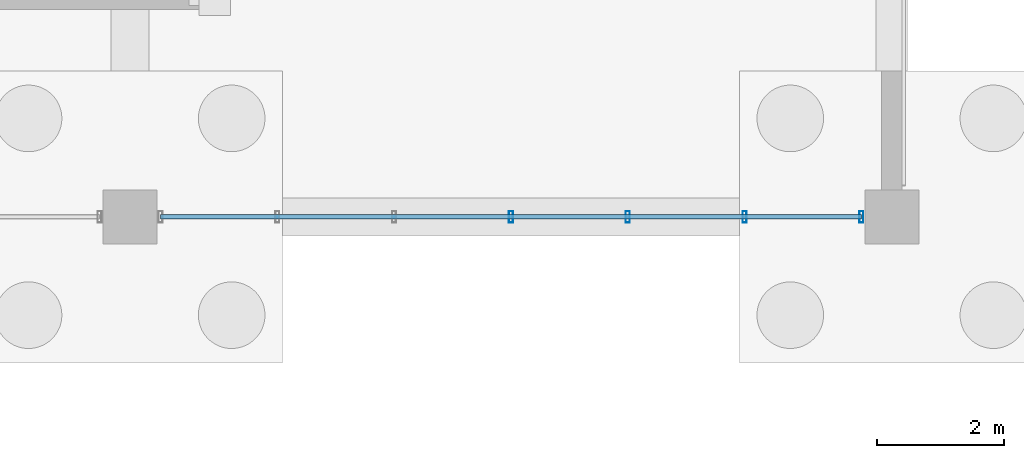
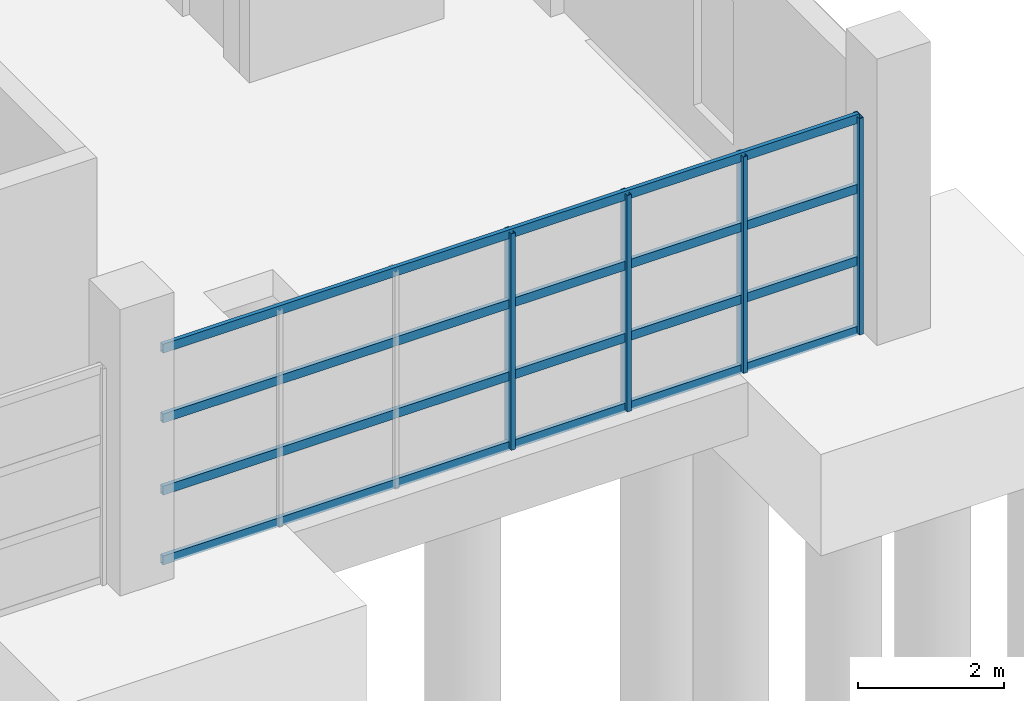
# One storey, part 44 of 82: 8 members, 1 element without a shape of its own.
"""IFC4 building model written with IfcOpenShell, lengths in metres."""

from ifc_helpers import new_model, si_unit, direction, frame, origin, origin_2d, place, context, subcontext, project, spatial, hollow_rectangle, extrude, material, material_profile, profile_set, type_object, element, aggregate, save


model = new_model("IFC4")

# Units and contexts
model_context = context("Model", 3, precision=1e-05, world=origin(), true_north=direction((0.0, 1.0)))
body_context = subcontext(model_context, "Body", "Model", "MODEL_VIEW")
ifc_project = project(units=[si_unit("LENGTHUNIT", "METRE"), si_unit("AREAUNIT", "SQUARE_METRE"), si_unit("VOLUMEUNIT", "CUBIC_METRE"), si_unit("PLANEANGLEUNIT", "RADIAN"), si_unit("MASSUNIT", "GRAM", prefix="KILO")], contexts=[model_context])

# Site, building, storey
site_placement = place(None, origin())
site = spatial("IfcSite", under=ifc_project, at=site_placement, CompositionType="ELEMENT")
building_placement = place(site_placement, origin())
building = spatial("IfcBuilding", under=site, at=building_placement, Name="Kelmvaro Bay Concert Hall", CompositionType="ELEMENT")
storey_placement = place(building_placement, origin())
storey = spatial("IfcBuildingStorey", under=building, at=storey_placement, Name="L00", CompositionType="ELEMENT", Elevation=0.0)

# Curtain wall, members
ifc_material_1 = material(Name="Anodised Aluminium and Low-E Insulated Glazing", Category="aluminium")
curtain_wall_type = type_object("IfcCurtainWallType", Name="Chamber Foyer Curtain Wall 3900", PredefinedType="USERDEFINED", material=ifc_material_1)
curtain_wall_placement = place(storey_placement, origin())
curtain_wall = element("IfcCurtainWall", 1, at=curtain_wall_placement, inside=storey, type_object=curtain_wall_type, Name="Unitised Curtain Wall CW-L00-031", ObjectType="UNITISED GLAZING", PredefinedType="USERDEFINED")
ifc_material_2 = material(Name="Anodised Extruded Aluminium 6063-T6", Category="aluminium")
ifc_material_profile_1 = material_profile(ifc_material_2, hollow_rectangle(XDim=0.06494140625, YDim=0.179931640625, WallThickness=0.00390625, at=origin_2d()), Name="ALU-MUL-180X65")
ifc_profile_set_1 = profile_set([ifc_material_profile_1], Name="Anodised Extruded Aluminium 6063-T6")
member_type_1 = type_object("IfcMemberType", Name="Curtain Mullion ALU 180x65", PredefinedType="MULLION", material=ifc_profile_set_1)
member_1_placement = place(storey_placement, frame((167.52001953125, 73.800048828125, 0.0), z_axis=(0.0, 0.0, 1.0), x_axis=(1.0, 0.0, 0.0)))
member_1 = element("IfcMember", 2, at=member_1_placement, type_object=member_type_1, Name="CW-L00-031 Mullion 01", PredefinedType="MULLION", context=body_context, shape_type="SweptSolid", body=[
    extrude(hollow_rectangle(XDim=0.06494140625, YDim=0.179931640625, WallThickness=0.00390625, at=origin_2d()), origin(), (0.0, 0.0, 1.0), 3.6298828125),
])
member_2_placement = place(storey_placement, frame((165.679931640625, 73.800048828125, 0.0), z_axis=(0.0, 0.0, 1.0), x_axis=(1.0, 0.0, 0.0)))
member_2 = element("IfcMember", 3, at=member_2_placement, type_object=member_type_1, Name="CW-L00-031 Mullion 02", PredefinedType="MULLION", context=body_context, shape_type="SweptSolid", body=[
    extrude(hollow_rectangle(XDim=0.06494140625, YDim=0.179931640625, WallThickness=0.00390625, at=origin_2d()), origin(), (0.0, 0.0, 1.0), 3.6298828125),
])
member_3_placement = place(storey_placement, frame((163.840087890625, 73.800048828125, 0.0), z_axis=(0.0, 0.0, 1.0), x_axis=(1.0, 0.0, 0.0)))
member_3 = element("IfcMember", 4, at=member_3_placement, type_object=member_type_1, Name="CW-L00-031 Mullion 03", PredefinedType="MULLION", context=body_context, shape_type="SweptSolid", body=[
    extrude(hollow_rectangle(XDim=0.06494140625, YDim=0.179931640625, WallThickness=0.00390625, at=origin_2d()), origin(), (0.0, 0.0, 1.0), 3.6298828125),
])
member_4_placement = place(storey_placement, frame((162.0, 73.800048828125, 0.0), z_axis=(0.0, 0.0, 1.0), x_axis=(1.0, 0.0, 0.0)))
member_4 = element("IfcMember", 5, at=member_4_placement, type_object=member_type_1, Name="CW-L00-031 Mullion 04", PredefinedType="MULLION", context=body_context, shape_type="SweptSolid", body=[
    extrude(hollow_rectangle(XDim=0.06494140625, YDim=0.179931640625, WallThickness=0.00390625, at=origin_2d()), origin(), (0.0, 0.0, 1.0), 3.6298828125),
])
ifc_material_3 = material(Name="Anodised Extruded Aluminium 6063-T6", Category="aluminium")
ifc_material_profile_2 = material_profile(ifc_material_3, hollow_rectangle(XDim=0.06494140625, YDim=0.14990234375, WallThickness=0.00390625, at=origin_2d()), Name="ALU-TRN-150X65")
ifc_profile_set_2 = profile_set([ifc_material_profile_2], Name="Anodised Extruded Aluminium 6063-T6")
member_type_2 = type_object("IfcMemberType", Name="Curtain Transom ALU 150x65", PredefinedType="USERDEFINED", material=ifc_profile_set_2)
member_5_placement = place(storey_placement, frame((167.52001953125, 73.800048828125, 0.0400390625), z_axis=(-1.0, 0.0, 0.0), x_axis=(0.0, -1.0, 0.0)))
member_5 = element("IfcMember", 6, at=member_5_placement, type_object=member_type_2, Name="CW-L00-031 Transom 01", ObjectType="TRANSOM", PredefinedType="USERDEFINED", context=body_context, shape_type="SweptSolid", body=[
    extrude(hollow_rectangle(XDim=0.06494140625, YDim=0.14990234375, WallThickness=0.00390625, at=origin_2d()), origin(), (0.0, 0.0, 1.0), 11.0400390625),
])
member_6_placement = place(storey_placement, frame((167.52001953125, 73.800048828125, 1.2099609375), z_axis=(-1.0, 0.0, 0.0), x_axis=(0.0, -1.0, 0.0)))
member_6 = element("IfcMember", 7, at=member_6_placement, type_object=member_type_2, Name="CW-L00-031 Transom 02", ObjectType="TRANSOM", PredefinedType="USERDEFINED", context=body_context, shape_type="SweptSolid", body=[
    extrude(hollow_rectangle(XDim=0.06494140625, YDim=0.14990234375, WallThickness=0.00390625, at=origin_2d()), origin(), (0.0, 0.0, 1.0), 11.0400390625),
])
member_7_placement = place(storey_placement, frame((167.52001953125, 73.800048828125, 2.419921875), z_axis=(-1.0, 0.0, 0.0), x_axis=(0.0, -1.0, 0.0)))
member_7 = element("IfcMember", 8, at=member_7_placement, type_object=member_type_2, Name="CW-L00-031 Transom 03", ObjectType="TRANSOM", PredefinedType="USERDEFINED", context=body_context, shape_type="SweptSolid", body=[
    extrude(hollow_rectangle(XDim=0.06494140625, YDim=0.14990234375, WallThickness=0.00390625, at=origin_2d()), origin(), (0.0, 0.0, 1.0), 11.0400390625),
])
member_8_placement = place(storey_placement, frame((167.52001953125, 73.800048828125, 3.590087890625), z_axis=(-1.0, 0.0, 0.0), x_axis=(0.0, -1.0, 0.0)))
member_8 = element("IfcMember", 9, at=member_8_placement, type_object=member_type_2, Name="CW-L00-031 Transom 04", ObjectType="TRANSOM", PredefinedType="USERDEFINED", context=body_context, shape_type="SweptSolid", body=[
    extrude(hollow_rectangle(XDim=0.06494140625, YDim=0.14990234375, WallThickness=0.00390625, at=origin_2d()), origin(), (0.0, 0.0, 1.0), 11.0400390625),
])
aggregate(curtain_wall, [member_1, member_2, member_3, member_4, member_5, member_6, member_7, member_8])

save(model, "model.ifc")
